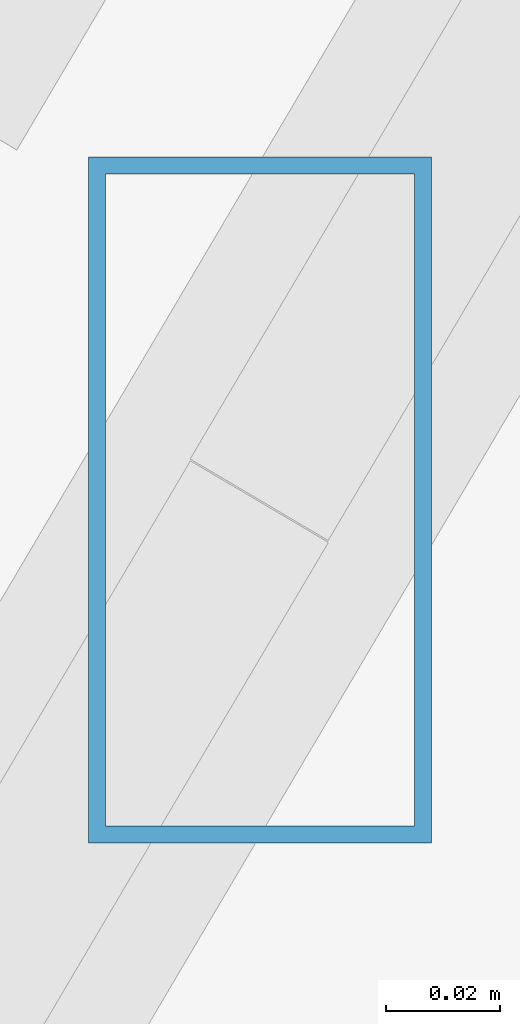
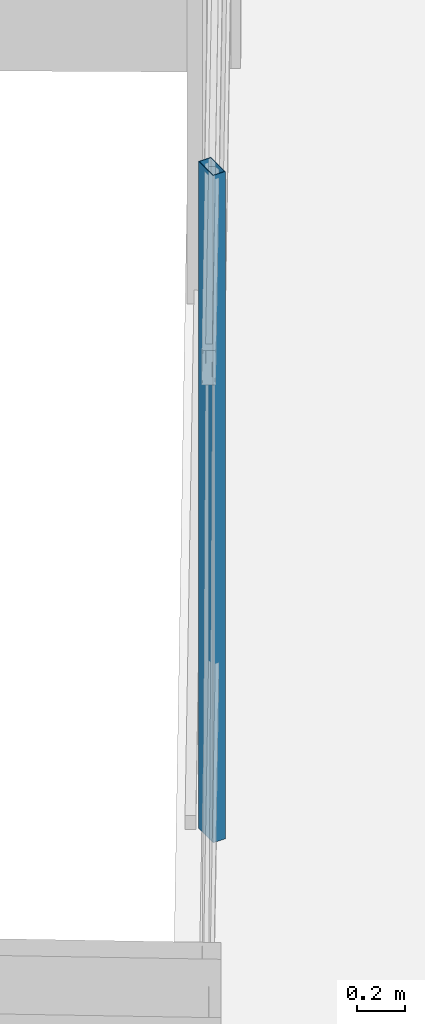
# One storey, part 9 of 46: 1 member, 1 element without a shape of its own.
"""IFC4 building model written with IfcOpenShell, lengths in metres."""

from ifc_helpers import new_model, si_unit, direction, frame, origin, origin_2d, place, context, subcontext, project, spatial, hollow_rectangle, extrude, source, transform, mapped, material, material_profile, profile_set, type_object, type_shapes, element, aggregate, save


model = new_model("IFC4")

# Units and contexts
model_context = context("Model", 3, precision=1e-05, world=origin(), true_north=direction((0.0, 1.0)))
body_context = subcontext(model_context, "Body", "Model", "MODEL_VIEW")
ifc_project = project(units=[si_unit("LENGTHUNIT", "METRE"), si_unit("AREAUNIT", "SQUARE_METRE"), si_unit("VOLUMEUNIT", "CUBIC_METRE"), si_unit("PLANEANGLEUNIT", "RADIAN"), si_unit("MASSUNIT", "GRAM", prefix="KILO")], contexts=[model_context])

# Site, building, storey
site_placement = place(None, origin())
site = spatial("IfcSite", under=ifc_project, at=site_placement, CompositionType="ELEMENT")
building_placement = place(site_placement, origin())
building = spatial("IfcBuilding", under=site, at=building_placement, Name="Caelisora Broadcast Tower", CompositionType="ELEMENT")
storey_placement = place(building_placement, frame((0.0, 0.0, 251.75)))
storey = spatial("IfcBuildingStorey", under=building, at=storey_placement, Name="L66", CompositionType="ELEMENT", Elevation=251.75)

# Curtain wall, member
ifc_material_1 = material(Name="Unitised Aluminium and Low-E Glass Curtain Wall", Category="glass")
curtain_wall_type = type_object("IfcCurtainWallType", Name="CW-Z5", PredefinedType="NOTDEFINED", material=ifc_material_1)
curtain_wall_placement = place(storey_placement, origin())
curtain_wall = element("IfcCurtainWall", 1, at=curtain_wall_placement, inside=storey, type_object=curtain_wall_type, Name="L66 curtain wall CW-Z5", PredefinedType="NOTDEFINED")
ifc_material_2 = material(Name="Aluminium 6063-T6 Anodised Terracotta Bronze", Category="aluminium")
ifc_material_profile = material_profile(ifc_material_2, hollow_rectangle(XDim=0.06005859375, YDim=0.1201171875, WallThickness=0.0029296875, at=origin_2d()), Name="Aluminium 6063-T6 Anodised Terracotta Bronze")
ifc_profile_set = profile_set([ifc_material_profile], Name="Aluminium 6063-T6 Anodised Terracotta Bronze")
member_type = type_object("IfcMemberType", Name="CWM-04", PredefinedType="MULLION", material=ifc_profile_set)
shared_shape = source(origin(), body_context, "Body", "SweptSolid", [
    extrude(hollow_rectangle(XDim=0.06005859375, YDim=0.1201171875, WallThickness=0.0029296875, at=origin_2d()), origin(), (0.0, 0.0, 1.0), 3.39990234375),
])
type_shapes(member_type, [shared_shape])
member_placement = place(storey_placement, frame((17.784912109375, 21.556640625, 0.0), z_axis=(0.0, 0.0, 1.0), x_axis=(1.0, 0.0, 0.0)))
member = element("IfcMember", 2, at=member_placement, type_object=member_type, Name="L66-CW-B09 mullion #2", PredefinedType="MULLION", context=body_context, shape_type="MappedRepresentation", body=[
    mapped(shared_shape, transform((0.0, 0.0, 0.0), scale=1.0)),
])
aggregate(curtain_wall, [member])

save(model, "model.ifc")
